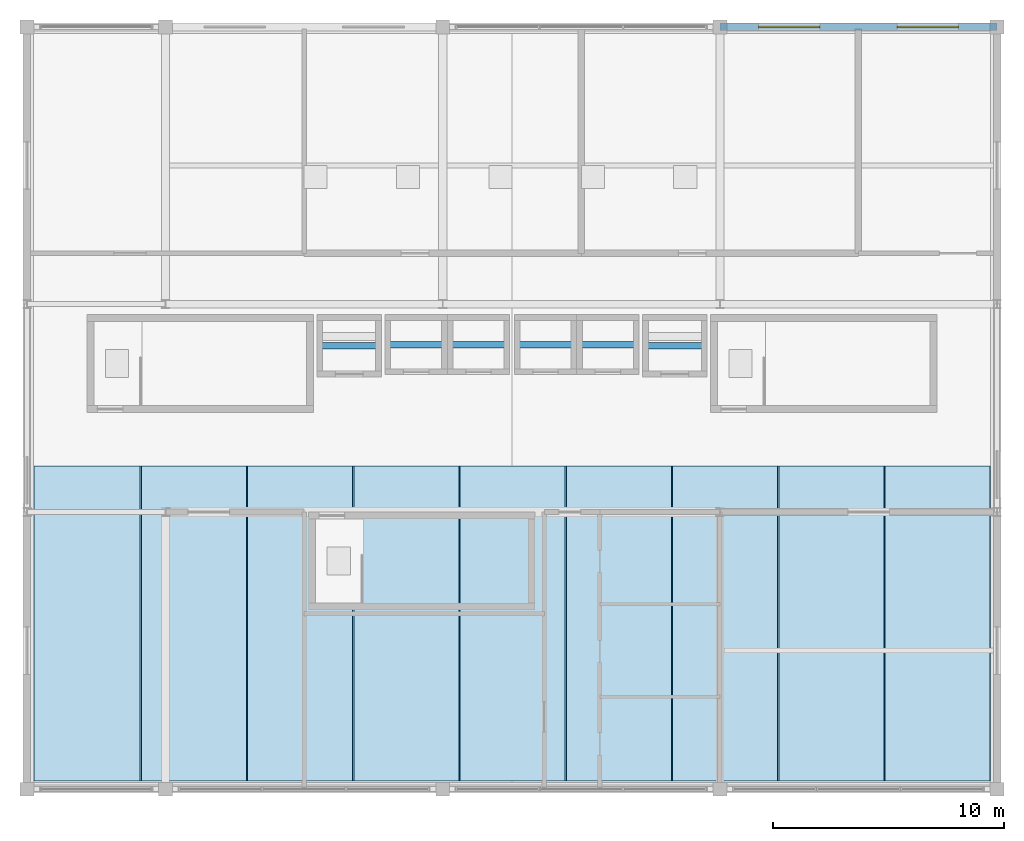
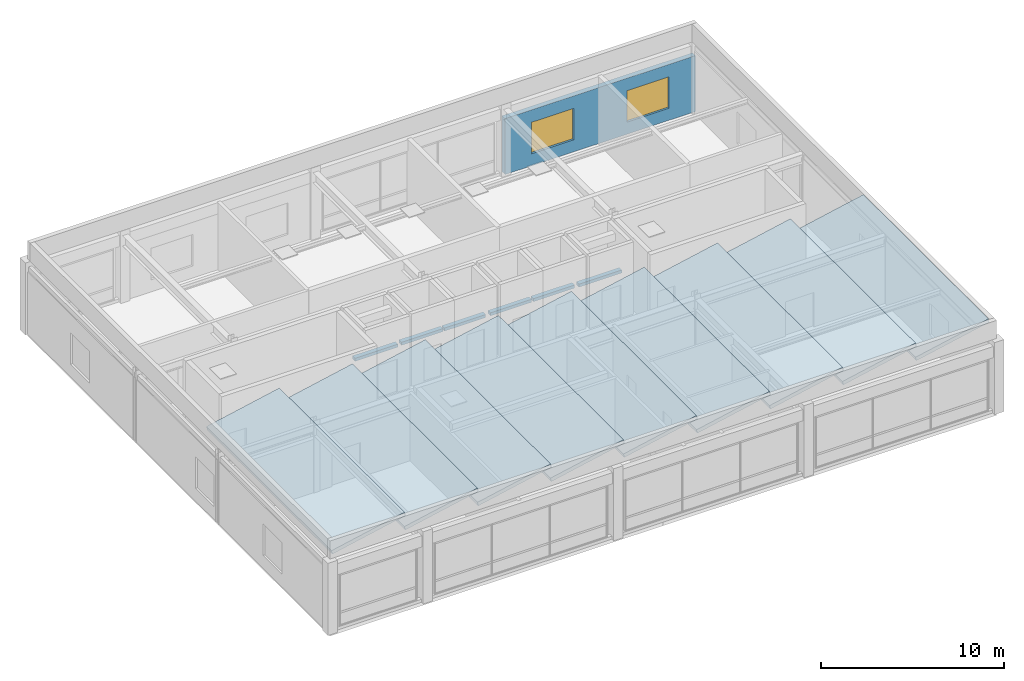
# One storey, part 15 of 16: 9 roofs, 6 discrete accessories, 2 windows, 1 wall, 2 openings.
"""IFC4 building model written with IfcOpenShell, lengths in metres."""

from ifc_helpers import new_model, si_unit, direction, frame, frame_2d, origin, origin_2d, place, context, subcontext, project, spatial, polyline, rectangle, outline, extrude, material, layer, layer_set, type_object, element, fill, save


model = new_model("IFC4")

# Units and contexts
model_context = context("Model", 3, precision=1e-05, world=origin(), true_north=direction((0.0, 1.0)))
body_context = subcontext(model_context, "Body", "Model", "MODEL_VIEW")
ifc_project = project(units=[si_unit("LENGTHUNIT", "METRE"), si_unit("AREAUNIT", "SQUARE_METRE"), si_unit("VOLUMEUNIT", "CUBIC_METRE"), si_unit("PLANEANGLEUNIT", "RADIAN"), si_unit("MASSUNIT", "GRAM", prefix="KILO")], contexts=[model_context])

# Site, building, storey
site_placement = place(None, origin())
site = spatial("IfcSite", under=ifc_project, at=site_placement, CompositionType="ELEMENT")
building_placement = place(site_placement, origin())
building = spatial("IfcBuilding", under=site, at=building_placement, Name="Kaldorvane Square Convention Centre", CompositionType="ELEMENT")
storey_placement = place(building_placement, frame((0.0, 0.0, 70.80000305175781)))
storey = spatial("IfcBuildingStorey", under=building, at=storey_placement, Name="L17", CompositionType="ELEMENT", Elevation=70.80000305175781)

# Wall, openings, windows
ifc_material_1 = material(Name="Concrete f'c = 35 MPa (Normalweight)", Category="concrete")
ifc_layer_1 = layer(ifc_material_1, 0.32000732421875)
ifc_layer_set_1 = layer_set([ifc_layer_1], Name="Concrete f'c = 35 MPa (Normalweight)")
wall_type = type_object("IfcWallType", Name="WL-EXT-320", PredefinedType="STANDARD", material=ifc_layer_set_1)
wall_placement = place(storey_placement, frame((78.0, 117.0, 0.0), z_axis=(0.0, 0.0, 1.0), x_axis=(-1.0, 0.0, 0.0)))
wall = element("IfcWall", 1, at=wall_placement, inside=storey, type_object=wall_type, Name="Hotel N Brutalist Facade Wall (L17)", PredefinedType="STANDARD", context=body_context, shape_type="SweptSolid", body=[
    extrude(rectangle(XDim=12.0, YDim=0.32000732421875, at=frame_2d((6.0, 0.0))), origin(), (0.0, 0.0, 1.0), 3.7259979248046875),
])
opening_1_placement = place(wall_placement, frame((1.6750030517578125, 0.0, 0.8000030517578125)))
opening_1 = element("IfcOpeningElement", 2, at=opening_1_placement, cuts=wall, Name="Opening W-27", PredefinedType="OPENING", context=body_context, shape_type="SweptSolid", body=[
    extrude(rectangle(XDim=2.649993896484375, YDim=2.100006103515625, at=frame_2d((1.3249969482421875, 1.0500030517578125))), frame((0.0, 0.1750030517578125, 0.0), z_axis=(0.0, -1.0, 0.0), x_axis=(1.0, 0.0, 0.0)), (0.0, 0.0, 1.0), 0.350006103515625),
])
opening_2_placement = place(wall_placement, frame((7.6750030517578125, 0.0, 0.8000030517578125)))
opening_2 = element("IfcOpeningElement", 3, at=opening_2_placement, cuts=wall, Name="Opening W-27", PredefinedType="OPENING", context=body_context, shape_type="SweptSolid", body=[
    extrude(rectangle(XDim=2.649993896484375, YDim=2.100006103515625, at=frame_2d((1.3249969482421875, 1.0500030517578125))), frame((0.0, 0.1750030517578125, 0.0), z_axis=(0.0, -1.0, 0.0), x_axis=(1.0, 0.0, 0.0)), (0.0, 0.0, 1.0), 0.350006103515625),
])
ifc_material_2 = material(Name="Anodized Aluminum and Low-E Insulated Glazing", Category="aluminium")
window_type = type_object("IfcWindowType", Name="WN-PNT-2650X2100", PartitioningType="DOUBLE_PANEL_VERTICAL", PredefinedType="WINDOW", material=ifc_material_2)
window_1_placement = place(opening_1_placement, origin())
window_1 = element("IfcWindow", 4, at=window_1_placement, inside=storey, type_object=window_type, Name="Hotel N Window (L17)", OverallHeight=2.100006103515625, OverallWidth=2.649993896484375, PartitioningType="DOUBLE_PANEL_VERTICAL", PredefinedType="WINDOW", context=body_context, shape_type="SweptSolid", body=[
    extrude(rectangle(XDim=2.649993896484375, YDim=2.100006103515625, at=frame_2d((1.3249969482421875, 1.0500030517578125))), frame((0.0, 0.029998779296875, 0.0), z_axis=(0.0, -1.0, 0.0), x_axis=(1.0, 0.0, 0.0)), (0.0, 0.0, 1.0), 0.05999755859375),
])
fill(opening_1, window_1)
window_2_placement = place(opening_2_placement, origin())
window_2 = element("IfcWindow", 5, at=window_2_placement, inside=storey, type_object=window_type, Name="Hotel N Window (L17)", OverallHeight=2.100006103515625, OverallWidth=2.649993896484375, PartitioningType="DOUBLE_PANEL_VERTICAL", PredefinedType="WINDOW", context=body_context, shape_type="SweptSolid", body=[
    extrude(rectangle(XDim=2.649993896484375, YDim=2.100006103515625, at=frame_2d((1.3249969482421875, 1.0500030517578125))), frame((0.0, 0.029998779296875, 0.0), z_axis=(0.0, -1.0, 0.0), x_axis=(1.0, 0.0, 0.0)), (0.0, 0.0, 1.0), 0.05999755859375),
])
fill(opening_2, window_2)

# Roofs
ifc_material_3 = material(Name="Concrete f'c = 42 MPa (Normalweight)", Category="concrete")
ifc_layer_2 = layer(ifc_material_3, 0.25)
ifc_layer_set_2 = layer_set([ifc_layer_2], Name="Concrete f'c = 42 MPa (Normalweight)")
roof_type = type_object("IfcRoofType", Name="RF-SHED-250", PredefinedType="SHED_ROOF", material=ifc_layer_set_2)
roof_1_placement = place(storey_placement, frame((36.30000305175781, 84.35000610351562, 5.0439910888671875), z_axis=(-0.203480460528, 0.0, 0.97907900712), x_axis=(0.97907900712, 0.0, 0.203480460528)))
element("IfcRoof", 6, at=roof_1_placement, inside=storey, type_object=roof_type, Name="Crown Sawtooth Concrete Monitor Roof 01", PredefinedType="SHED_ROOF", context=body_context, shape_type="SweptSolid", body=[
    extrude(outline(polyline([(0.0, 0.0), (4.698283602522686, 0.0), (4.698283602522686, 13.649993896484375), (0.0, 13.649993896484375), (0.0, 0.0)])), origin(), (0.0, 0.0, -1.0), 0.25),
])
for number, where, z_axis, x_axis, name in (
    (7, (40.899993896484375, 84.35000610351562, 5.0439910888671875), (-0.203479813505, 0.0, 0.97907914159), (0.97907914159, 0.0, 0.203479813505), "Crown Sawtooth Concrete Monitor Roof 02"),
    (8, (45.5, 84.35000610351562, 5.0439910888671875), (-0.203479813505, 0.0, 0.97907914159), (0.97907914159, 0.0, 0.203479813505), "Crown Sawtooth Concrete Monitor Roof 03"),
):
    element("IfcRoof", number, at=place(storey_placement, frame(where, z_axis=z_axis, x_axis=x_axis)), inside=storey, type_object=roof_type, Name=name, PredefinedType="SHED_ROOF", context=body_context, shape_type="SweptSolid", body=[
        extrude(outline(polyline([(0.0, 0.0), (4.698298542083757, 0.0), (4.698298542083757, 13.649993896484379), (0.0, 13.649993896484379), (0.0, 0.0)])), origin(), (0.0, 0.0, -1.0), 0.25),
    ])
roof_2_placement = place(storey_placement, frame((50.100006103515625, 84.35000610351562, 5.0439910888671875), z_axis=(-0.203480460528, 0.0, 0.97907900712), x_axis=(0.97907900712, 0.0, 0.203480460528)))
element("IfcRoof", 9, at=roof_2_placement, inside=storey, type_object=roof_type, Name="Crown Sawtooth Concrete Monitor Roof 04", PredefinedType="SHED_ROOF", context=body_context, shape_type="SweptSolid", body=[
    extrude(outline(polyline([(0.0, 0.0), (4.698283602522686, 0.0), (4.698283602522686, 13.649993896484375), (0.0, 13.649993896484375), (0.0, 0.0)])), origin(), (0.0, 0.0, -1.0), 0.25),
])
roof_3_placement = place(storey_placement, frame((54.69999694824219, 84.35000610351562, 5.0439910888671875), z_axis=(-0.203479813505, 0.0, 0.97907914159), x_axis=(0.97907914159, 0.0, 0.203479813505)))
element("IfcRoof", 10, at=roof_3_placement, inside=storey, type_object=roof_type, Name="Crown Sawtooth Concrete Monitor Roof 05", PredefinedType="SHED_ROOF", context=body_context, shape_type="SweptSolid", body=[
    extrude(outline(polyline([(0.0, 0.0), (4.698298542083757, 0.0), (4.698298542083757, 13.649993896484379), (0.0, 13.649993896484379), (0.0, 0.0)])), origin(), (0.0, 0.0, -1.0), 0.25),
])
roof_4_placement = place(storey_placement, frame((59.30000305175781, 84.35000610351562, 5.0439910888671875), z_axis=(-0.203480460528, 0.0, 0.97907900712), x_axis=(0.97907900712, 0.0, 0.203480460528)))
element("IfcRoof", 11, at=roof_4_placement, inside=storey, type_object=roof_type, Name="Crown Sawtooth Concrete Monitor Roof 06", PredefinedType="SHED_ROOF", context=body_context, shape_type="SweptSolid", body=[
    extrude(outline(polyline([(0.0, 0.0), (4.698283602522686, 0.0), (4.698283602522686, 13.649993896484375), (0.0, 13.649993896484375), (0.0, 0.0)])), origin(), (0.0, 0.0, -1.0), 0.25),
])
for number, where, z_axis, x_axis, name in (
    (12, (63.899993896484375, 84.35000610351562, 5.0439910888671875), (-0.203479813505, 0.0, 0.97907914159), (0.97907914159, 0.0, 0.203479813505), "Crown Sawtooth Concrete Monitor Roof 07"),
    (13, (68.5, 84.35000610351562, 5.0439910888671875), (-0.203479813505, 0.0, 0.97907914159), (0.97907914159, 0.0, 0.203479813505), "Crown Sawtooth Concrete Monitor Roof 08"),
):
    element("IfcRoof", number, at=place(storey_placement, frame(where, z_axis=z_axis, x_axis=x_axis)), inside=storey, type_object=roof_type, Name=name, PredefinedType="SHED_ROOF", context=body_context, shape_type="SweptSolid", body=[
        extrude(outline(polyline([(0.0, 0.0), (4.698298542083757, 0.0), (4.698298542083757, 13.649993896484379), (0.0, 13.649993896484379), (0.0, 0.0)])), origin(), (0.0, 0.0, -1.0), 0.25),
    ])
roof_5_placement = place(storey_placement, frame((73.10000610351562, 84.35000610351562, 5.0439910888671875), z_axis=(-0.203480460528, 0.0, 0.97907900712), x_axis=(0.97907900712, 0.0, 0.203480460528)))
element("IfcRoof", 14, at=roof_5_placement, inside=storey, type_object=roof_type, Name="Crown Sawtooth Concrete Monitor Roof 09", PredefinedType="SHED_ROOF", context=body_context, shape_type="SweptSolid", body=[
    extrude(outline(polyline([(0.0, 0.0), (4.698283602522686, 0.0), (4.698283602522686, 13.649993896484375), (0.0, 13.649993896484375), (0.0, 0.0)])), origin(), (0.0, 0.0, -1.0), 0.25),
])

# Discrete accessories
ifc_material_4 = material(Name="Architectural Painted Steel", Category="steel")
discrete_accessory_type = type_object("IfcDiscreteAccessoryType", Name="AC-LFT-BEAM", PredefinedType="BRACKET", material=ifc_material_4)
for number, where, z_axis, x_axis, name in (
    (15, (49.94999694824219, 103.19999694824219, 2.010009765625), (0.0, 0.0, 1.0), (1.0, 0.0, 0.0), "Elevator Overhead Sheave Support FSAE-01"),
    (16, (64.05000305175781, 103.19999694824219, 2.010009765625), (0.0, 0.0, 1.0), (1.0, 0.0, 0.0), "Elevator Overhead Sheave Support FSAE-02"),
):
    element("IfcDiscreteAccessory", number, at=place(storey_placement, frame(where, z_axis=z_axis, x_axis=x_axis)), inside=storey, type_object=discrete_accessory_type, Name=name, PredefinedType="BRACKET", context=body_context, shape_type="SweptSolid", body=[
        extrude(rectangle(XDim=2.6999969482421875, YDim=0.279998779296875, at=origin_2d()), origin(), (0.0, 0.0, 1.0), 0.1999969482421875),
    ])
for number, where, z_axis, x_axis, name in (
    (17, (52.850006103515625, 103.25, 2.010009765625), (0.0, 0.0, 1.0), (1.0, 0.0, 0.0), "Elevator Overhead Sheave Support EL-P1"),
    (18, (55.55000305175781, 103.25, 2.010009765625), (0.0, 0.0, 1.0), (1.0, 0.0, 0.0), "Elevator Overhead Sheave Support EL-P2"),
    (19, (58.44999694824219, 103.25, 2.010009765625), (0.0, 0.0, 1.0), (1.0, 0.0, 0.0), "Elevator Overhead Sheave Support EL-P3"),
    (20, (61.149993896484375, 103.25, 2.010009765625), (0.0, 0.0, 1.0), (1.0, 0.0, 0.0), "Elevator Overhead Sheave Support EL-P4"),
):
    element("IfcDiscreteAccessory", number, at=place(storey_placement, frame(where, z_axis=z_axis, x_axis=x_axis)), inside=storey, type_object=discrete_accessory_type, Name=name, PredefinedType="BRACKET", context=body_context, shape_type="SweptSolid", body=[
        extrude(rectangle(XDim=2.600006103515625, YDim=0.279998779296875, at=origin_2d()), origin(), (0.0, 0.0, 1.0), 0.1999969482421875),
    ])

save(model, "model.ifc")
